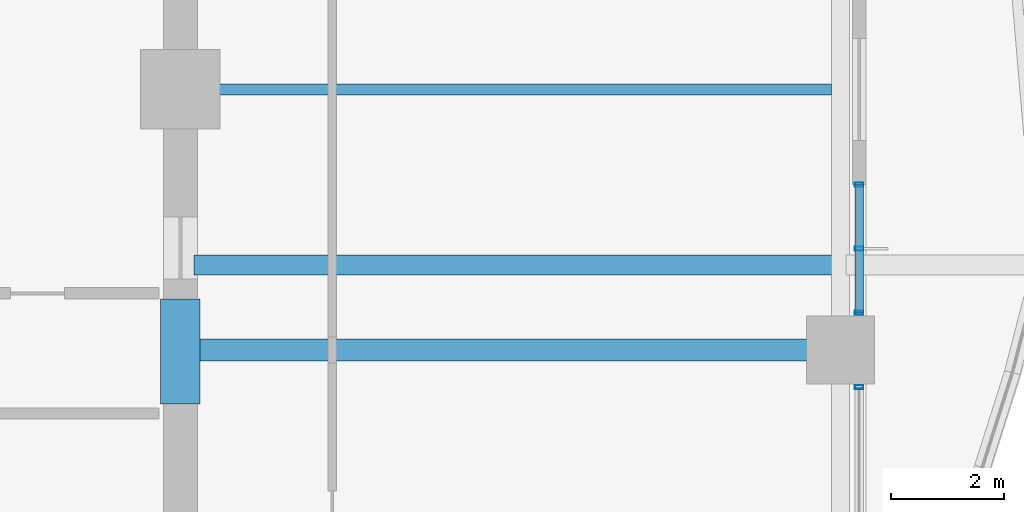
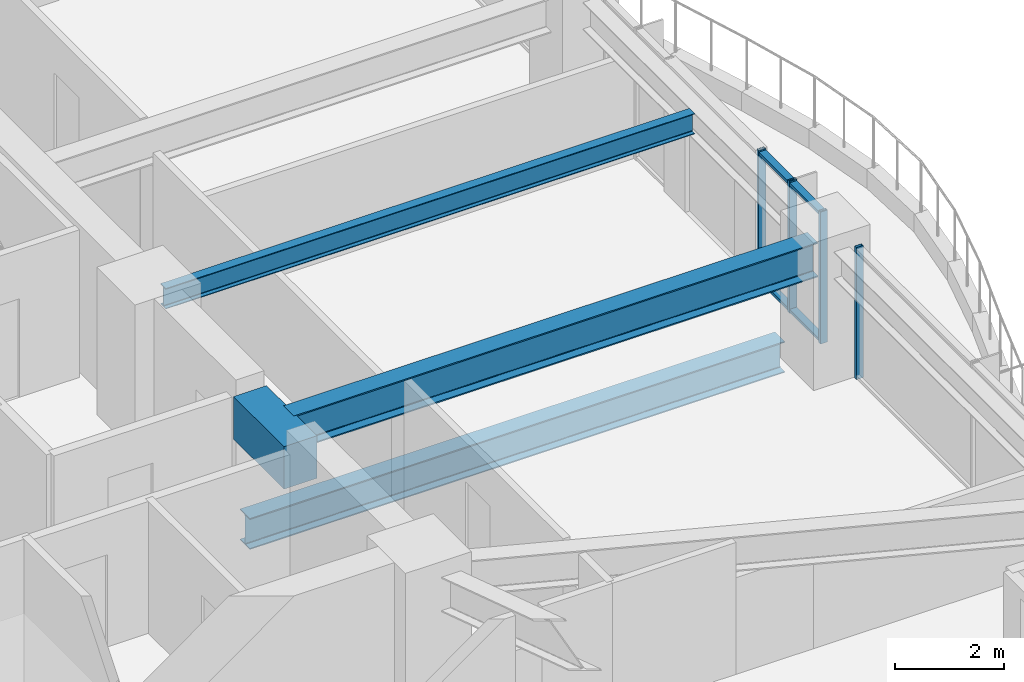
# One storey, part 14 of 38: 6 members, 4 beams, 2 elements without a shape of their own.
"""IFC4 building model written with IfcOpenShell, lengths in metres."""

import ifcopenshell
import ifcopenshell.guid

model = None  # the IFC model being written
_history = None  # IfcOwnerHistory: only IFC2X3 demands one
_inside = {}  # id of a spatial element -> (the spatial element, [elements in it])
_under = {}  # id of a project, library or spatial element -> (it, [spatial elements below it])
_declared = {}  # id of a project -> (the project, [libraries it declares])
_typed = {}  # id of a type object -> (the type object, [elements of that type])
_made_of = {}  # id of a material, layer set ... -> (it, [elements and type objects made of it])


def new_model(schema):
    """Start an empty IFC model of exactly this schema.

    Asked for "IFC4X3", IfcOpenShell would pick the latest addendum, in which some entities
    have other attributes; the version numbers below select the first issue.
    IFC2X3 requires an IfcOwnerHistory on every rooted entity: one is made here for all.
    """
    global model, _history
    if schema == "IFC4X3":
        model = ifcopenshell.file(schema_version=(4, 3, 0, 0))
    else:
        model = ifcopenshell.file(schema=schema)
    _inside.clear()
    _under.clear()
    _declared.clear()
    _typed.clear()
    _made_of.clear()
    _history = None
    if model.schema == "IFC2X3":
        org = make("IfcOrganization", Name="unknown")
        user = make(
            "IfcPersonAndOrganization",
            ThePerson=make("IfcPerson", FamilyName="unknown"),
            TheOrganization=org,
        )
        app = make(
            "IfcApplication",
            ApplicationDeveloper=org,
            Version="unknown",
            ApplicationFullName="unknown",
            ApplicationIdentifier="unknown",
        )
        _history = make(
            "IfcOwnerHistory",
            OwningUser=user,
            OwningApplication=app,
            ChangeAction="ADDED",
            CreationDate=0,
        )
    return model


def make(cls, **values):
    """One entity of the class cls with the attributes given. An attribute that is None is left unset."""
    return model.create_entity(
        cls, **{name: value for name, value in values.items() if value is not None}
    )


def rooted(cls, **values):
    """An entity with a GlobalId (a new one), such as an element, a storey or a relation."""
    return make(cls, GlobalId=ifcopenshell.guid.new(), OwnerHistory=_history, **values)


def si_unit(unit_type, name, prefix=None):
    """IfcSIUnit, for example si_unit("LENGTHUNIT", "METRE", prefix="MILLI")."""
    return make("IfcSIUnit", UnitType=unit_type, Prefix=prefix, Name=name)


def assignment(units):
    """IfcUnitAssignment: the units of a project."""
    return None if units is None else make("IfcUnitAssignment", Units=units)


def point(xyz):
    """IfcCartesianPoint."""
    return None if xyz is None else make("IfcCartesianPoint", Coordinates=xyz)


def direction(xyz):
    """IfcDirection."""
    return None if xyz is None else make("IfcDirection", DirectionRatios=xyz)


def frame(location, z_axis=None, x_axis=None):
    """IfcAxis2Placement3D, a coordinate frame: its origin and axes. An axis left out is left unset."""
    return make(
        "IfcAxis2Placement3D",
        Location=point(location),
        Axis=direction(z_axis),
        RefDirection=direction(x_axis),
    )


def frame_2d(location, x_axis=None):
    """IfcAxis2Placement2D, a coordinate frame in the plane: its origin and x axis."""
    return make(
        "IfcAxis2Placement2D", Location=point(location), RefDirection=direction(x_axis)
    )


def origin():
    """The frame at (0, 0, 0) with its axes left unset."""
    return frame((0.0, 0.0, 0.0))


def origin_2d():
    """The frame at (0, 0) in the plane with its x axis left unset."""
    return frame_2d((0.0, 0.0))


def place(relative_to, where):
    """IfcLocalPlacement: puts the frame where relative to a parent placement (None: the world)."""
    return make(
        "IfcLocalPlacement", PlacementRelTo=relative_to, RelativePlacement=where
    )


def context(
    kind, dimensions, precision=None, world=None, true_north=None, identifier=None
):
    """IfcGeometricRepresentationContext, for example the 3D "Model" context."""
    return make(
        "IfcGeometricRepresentationContext",
        ContextIdentifier=identifier,
        ContextType=kind,
        CoordinateSpaceDimension=dimensions,
        Precision=precision,
        WorldCoordinateSystem=world,
        TrueNorth=true_north,
    )


def subcontext(parent, identifier, kind, view, scale=None):
    """IfcGeometricRepresentationSubContext, for example "Body" below "Model"."""
    return make(
        "IfcGeometricRepresentationSubContext",
        ContextIdentifier=identifier,
        ContextType=kind,
        ParentContext=parent,
        TargetScale=scale,
        TargetView=view,
    )


def project(units=None, contexts=None):
    """IfcProject with its units and contexts."""
    return rooted(
        "IfcProject",
        Name="project",
        RepresentationContexts=contexts,
        UnitsInContext=assignment(units),
    )


def spatial(cls, under=None, at=None, **own):
    """A site, building, storey or space (cls), placed at a placement, below another one or the project."""
    s = rooted(cls, ObjectPlacement=at, **own)
    if under is not None:
        _under.setdefault(under.id(), (under, []))[1].append(s)
    return s


def profile(cls, at=None, kind="AREA", **sizes):
    """A parametric profile (cls). Its sizes go by their IFC names, for example OverallWidth=200.0."""
    return make(cls, ProfileType=kind, Position=at, **sizes)


def rectangle(**sizes):
    """IfcRectangleProfileDef."""
    return profile("IfcRectangleProfileDef", **sizes)


def hollow_rectangle(**sizes):
    """IfcRectangleHollowProfileDef."""
    return profile("IfcRectangleHollowProfileDef", **sizes)


def i_section(**sizes):
    """IfcIShapeProfileDef."""
    return profile("IfcIShapeProfileDef", **sizes)


def extrude(swept, where, along, depth):
    """IfcExtrudedAreaSolid: the profile swept, set in the frame where, extruded along a direction by depth."""
    return make(
        "IfcExtrudedAreaSolid",
        SweptArea=swept,
        Position=where,
        ExtrudedDirection=direction(along),
        Depth=depth,
    )


def shape(context_of_items, identifier, shape_type, items):
    """IfcShapeRepresentation: the items that make up one representation, for example the "Body"."""
    return make(
        "IfcShapeRepresentation",
        ContextOfItems=context_of_items,
        RepresentationIdentifier=identifier,
        RepresentationType=shape_type,
        Items=items,
    )


def material(Name=None, Category=None):
    """IfcMaterial."""
    return make("IfcMaterial", Name=Name, Category=Category)


def material_profile(
    of_material, cross_section, Name=None, Category=None, Priority=None
):
    """IfcMaterialProfile: a cross section and its material."""
    return make(
        "IfcMaterialProfile",
        Name=Name,
        Material=of_material,
        Profile=cross_section,
        Priority=Priority,
        Category=Category,
    )


def profile_set(profiles, Name=None, composite=None):
    """IfcMaterialProfileSet."""
    return make(
        "IfcMaterialProfileSet",
        Name=Name,
        MaterialProfiles=profiles,
        CompositeProfile=composite,
    )


def made_of(thing, what):
    """Note that an element or type object is made of a material, layer set ...; save() writes the relation."""
    if what is not None:
        _made_of.setdefault(what.id(), (what, []))[1].append(thing)
    return thing


def type_object(cls, material=None, **own):
    """A type object (cls), such as IfcWallType, which elements share."""
    return made_of(rooted(cls, **own), material)


def element(
    cls,
    number,
    at=None,
    inside=None,
    cuts=None,
    type_object=None,
    material=None,
    context=None,
    identifier="Body",
    shape_type=None,
    held_by="IfcProductDefinitionShape",
    body=None,
    shapes=None,
    **own,
):
    """One element of the class cls, such as IfcWall. Its Tag is "e" and its number.

    at: its placement. inside: the storey or other place that contains it. cuts: it is an
    opening in that element (IfcRelVoidsElement). A single representation is given by context,
    identifier, shape_type and body (its items); several are given by shapes. held_by: the class
    of the entity that holds the representations. save() writes the other relations.
    """
    e = rooted(cls, Tag="e%d" % number, ObjectPlacement=at, **own)
    if body is not None:
        shapes = [shape(context, identifier, shape_type, body)]
    if shapes is not None:
        e.Representation = make(held_by, Representations=shapes)
    if inside is not None:
        _inside.setdefault(inside.id(), (inside, []))[1].append(e)
    if cuts is not None:
        rooted(
            "IfcRelVoidsElement", RelatingBuildingElement=cuts, RelatedOpeningElement=e
        )
    if type_object is not None:
        _typed.setdefault(type_object.id(), (type_object, []))[1].append(e)
    return made_of(e, material)


def aggregate(whole, parts):
    """IfcRelAggregates: a whole, such as a stair, and the parts it consists of."""
    return rooted("IfcRelAggregates", RelatingObject=whole, RelatedObjects=parts)


def save(model, path):
    """Write the relations noted so far, then the file.

    IfcRelAggregates (storeys below a building ...), IfcRelContainedInSpatialStructure (elements
    in a storey), IfcRelDefinesByType, IfcRelAssociatesMaterial and IfcRelDeclares: one each for
    every whole, place, type object, material and project.
    """
    for whole, parts in _under.values():
        aggregate(whole, parts)
    for where, things in _inside.values():
        rooted(
            "IfcRelContainedInSpatialStructure",
            RelatedElements=things,
            RelatingStructure=where,
        )
    for kind, things in _typed.values():
        rooted("IfcRelDefinesByType", RelatedObjects=things, RelatingType=kind)
    for what, things in _made_of.values():
        rooted("IfcRelAssociatesMaterial", RelatedObjects=things, RelatingMaterial=what)
    for by, libraries in _declared.values():
        rooted("IfcRelDeclares", RelatingContext=by, RelatedDefinitions=libraries)
    model.write(path)


model = new_model("IFC4")

# Units and contexts
model_context = context("Model", 3, precision=1e-05, world=origin(), true_north=direction((0.0, 1.0)))
body_context = subcontext(model_context, "Body", "Model", "MODEL_VIEW")
ifc_project = project(units=[si_unit("LENGTHUNIT", "METRE"), si_unit("AREAUNIT", "SQUARE_METRE"), si_unit("VOLUMEUNIT", "CUBIC_METRE"), si_unit("PLANEANGLEUNIT", "RADIAN"), si_unit("MASSUNIT", "GRAM", prefix="KILO")], contexts=[model_context])

# Site, building, storey
site_placement = place(None, origin())
site = spatial("IfcSite", under=ifc_project, at=site_placement, CompositionType="ELEMENT")
building_placement = place(site_placement, origin())
building = spatial("IfcBuilding", under=site, at=building_placement, Name="Kolvaren Belvedere", CompositionType="ELEMENT")
storey_placement = place(building_placement, frame((0.0, 0.0, 60.10009765625)))
storey = spatial("IfcBuildingStorey", under=building, at=storey_placement, Name="L17", CompositionType="ELEMENT", Elevation=60.10009765625)

# Beams
ifc_material_1 = material(Name="Structural steel ASTM A992 Grade 50", Category="steel")
ifc_material_profile_1 = material_profile(ifc_material_1, i_section(OverallWidth=0.35498046875, OverallDepth=0.696044921875, WebThickness=0.015380859375, FlangeThickness=0.02490234375, FilletRadius=0.02197265625, at=origin_2d()), Name="W27X146")
ifc_profile_set_1 = profile_set([ifc_material_profile_1], Name="Structural steel ASTM A992 Grade 50")
beam_type_1 = type_object("IfcBeamType", Name="BM-GIRD-W27X146", PredefinedType="BEAM", material=ifc_profile_set_1)
beam_1_placement = place(storey_placement, frame((10.139892578125, -3.10009765625, -0.588134765625), z_axis=(1.0, 0.0, 0.0), x_axis=(0.0, 1.0, 0.0)))
element("IfcBeam", 1, at=beam_1_placement, inside=storey, type_object=beam_type_1, Name="L17 Balcony Interior Back-Span Girder BAL-E-1", PredefinedType="BEAM", context=body_context, shape_type="SweptSolid", body=[
    extrude(i_section(OverallWidth=0.35498046875, OverallDepth=0.696044921875, WebThickness=0.015380859375, FlangeThickness=0.02490234375, FilletRadius=0.02197265625, at=origin_2d()), origin(), (0.0, 0.0, 1.0), 11.315185546875),
])
ifc_material_2 = material(Name="Structural steel ASTM A992 Grade 50", Category="steel")
ifc_material_profile_2 = material_profile(ifc_material_2, i_section(OverallWidth=0.381103515625, OverallDepth=0.77294921875, WebThickness=0.0166015625, FlangeThickness=0.027099609375, FilletRadius=0.02392578125, at=origin_2d()), Name="W30X173")
ifc_profile_set_2 = profile_set([ifc_material_profile_2], Name="Structural steel ASTM A992 Grade 50")
beam_type_2 = type_object("IfcBeamType", Name="BM-GIRD-W30X173", PredefinedType="BEAM", material=ifc_profile_set_2)
beam_2_placement = place(storey_placement, frame((10.199951171875, -4.60009765625, 2.5634765625), z_axis=(1.0, 0.0, 0.0), x_axis=(0.0, 1.0, 0.0)))
element("IfcBeam", 2, at=beam_2_placement, inside=storey, type_object=beam_type_2, Name="L17 East Radial Girder M", PredefinedType="BEAM", context=body_context, shape_type="SweptSolid", body=[
    extrude(i_section(OverallWidth=0.381103515625, OverallDepth=0.77294921875, WebThickness=0.0166015625, FlangeThickness=0.027099609375, FilletRadius=0.02392578125, at=origin_2d()), origin(), (0.0, 0.0, 1.0), 11.080078125),
])
ifc_material_3 = material(Name="Structural steel ASTM A992 Grade 50", Category="steel")
ifc_material_profile_3 = material_profile(ifc_material_3, i_section(OverallWidth=0.19091796875, OverallDepth=0.4599609375, WebThickness=0.010009765625, FlangeThickness=0.01611328125, FilletRadius=0.014892578125, at=origin_2d()), Name="W18X55")
ifc_profile_set_3 = profile_set([ifc_material_profile_3], Name="Structural steel ASTM A992 Grade 50")
beam_type_3 = type_object("IfcBeamType", Name="BM-JOIST-W18X55", PredefinedType="BEAM", material=ifc_profile_set_3)
beam_3_placement = place(storey_placement, frame((10.199951171875, 0.0, 2.719970703125), z_axis=(1.0, 0.0, 0.0), x_axis=(0.0, 1.0, 0.0)))
element("IfcBeam", 3, at=beam_3_placement, inside=storey, type_object=beam_type_3, Name="L17 East Centre Floor Beam", PredefinedType="BEAM", context=body_context, shape_type="SweptSolid", body=[
    extrude(i_section(OverallWidth=0.19091796875, OverallDepth=0.4599609375, WebThickness=0.010009765625, FlangeThickness=0.01611328125, FilletRadius=0.014892578125, at=origin_2d()), origin(), (0.0, 0.0, 1.0), 11.1875),
])
ifc_material_4 = material(Name="Concrete C60/75", Category="concrete")
ifc_material_profile_4 = material_profile(ifc_material_4, rectangle(XDim=0.699951171875, YDim=0.949951171875, at=origin_2d()), Name="RC 700X950")
ifc_profile_set_4 = profile_set([ifc_material_profile_4], Name="Concrete C60/75")
beam_type_4 = type_object("IfcBeamType", Name="BM-LINT-950", PredefinedType="LINTEL", material=ifc_profile_set_4)
beam_4_placement = place(storey_placement, frame((9.89990234375, -5.550048828125, 2.474853515625), z_axis=(0.0, 1.0, 0.0), x_axis=(-1.0, 0.0, 0.0)))
element("IfcBeam", 4, at=beam_4_placement, inside=storey, type_object=beam_type_4, Name="L17 East Core Coupling Lintel", PredefinedType="LINTEL", context=body_context, shape_type="SweptSolid", body=[
    extrude(rectangle(XDim=0.699951171875, YDim=0.949951171875, at=origin_2d()), origin(), (0.0, 0.0, 1.0), 1.85009765625),
])

# Curtain wall, members
ifc_material_5 = material(Name="Anodised pale-metal aluminium AA 6063-T6", Category="aluminium")
curtain_wall_type = type_object("IfcCurtainWallType", Name="CW-Z1-LOW", PredefinedType="NOTDEFINED", material=ifc_material_5)
curtain_wall_1_placement = place(storey_placement, origin())
curtain_wall_1 = element("IfcCurtainWall", 5, at=curtain_wall_1_placement, inside=storey, type_object=curtain_wall_type, Name="L17 Unitised Curtain Wall FCW-L17-E2-B1", PredefinedType="NOTDEFINED")
ifc_material_6 = material(Name="Anodised pale-metal aluminium AA 6063-T6", Category="aluminium")
ifc_material_profile_5 = material_profile(ifc_material_6, hollow_rectangle(XDim=0.070068359375, YDim=0.14990234375, WallThickness=0.004150390625, at=origin_2d()), Name="ALU-MUL-150X70")
ifc_profile_set_5 = profile_set([ifc_material_profile_5], Name="Anodised pale-metal aluminium AA 6063-T6")
member_type_1 = type_object("IfcMemberType", Name="CW-MUL-150", PredefinedType="MULLION", material=ifc_profile_set_5)
member_1_placement = place(storey_placement, frame((21.8798828125, -1.679931640625, 0.0), z_axis=(0.0, 0.0, 1.0), x_axis=(0.0, 1.0, 0.0)))
member_1 = element("IfcMember", 6, at=member_1_placement, type_object=member_type_1, Name="FCW-L17-E2-B1 Unitised Mullion 1", PredefinedType="MULLION", context=body_context, shape_type="SweptSolid", body=[
    extrude(hollow_rectangle(XDim=0.070068359375, YDim=0.14990234375, WallThickness=0.004150390625, at=origin_2d()), origin(), (0.0, 0.0, 1.0), 2.949951171875),
])
member_2_placement = place(storey_placement, frame((21.8798828125, -2.8125, 0.0), z_axis=(0.0, 0.0, 1.0), x_axis=(0.0, 1.0, 0.0)))
member_2 = element("IfcMember", 7, at=member_2_placement, type_object=member_type_1, Name="FCW-L17-E2-B1 Unitised Mullion 2", PredefinedType="MULLION", context=body_context, shape_type="SweptSolid", body=[
    extrude(hollow_rectangle(XDim=0.070068359375, YDim=0.14990234375, WallThickness=0.004150390625, at=origin_2d()), origin(), (0.0, 0.0, 1.0), 2.949951171875),
])
member_3_placement = place(storey_placement, frame((21.8798828125, -3.945068359375, 0.0), z_axis=(0.0, 0.0, 1.0), x_axis=(0.0, 1.0, 0.0)))
member_3 = element("IfcMember", 8, at=member_3_placement, type_object=member_type_1, Name="FCW-L17-E2-B1 Unitised Mullion 3", PredefinedType="MULLION", context=body_context, shape_type="SweptSolid", body=[
    extrude(hollow_rectangle(XDim=0.070068359375, YDim=0.14990234375, WallThickness=0.004150390625, at=origin_2d()), origin(), (0.0, 0.0, 1.0), 2.949951171875),
])

# Curtain wall, member
curtain_wall_2_placement = place(storey_placement, origin())
curtain_wall_2 = element("IfcCurtainWall", 9, at=curtain_wall_2_placement, inside=storey, type_object=curtain_wall_type, Name="L17 Unitised Curtain Wall FCW-L17-E2-B2", PredefinedType="NOTDEFINED")
member_4_placement = place(storey_placement, frame((21.8798828125, -5.2548828125, 0.0), z_axis=(0.0, 0.0, 1.0), x_axis=(0.0, 1.0, 0.0)))
member_4 = element("IfcMember", 10, at=member_4_placement, type_object=member_type_1, Name="FCW-L17-E2-B2 Unitised Mullion 1", PredefinedType="MULLION", context=body_context, shape_type="SweptSolid", body=[
    extrude(hollow_rectangle(XDim=0.070068359375, YDim=0.14990234375, WallThickness=0.004150390625, at=origin_2d()), origin(), (0.0, 0.0, 1.0), 2.949951171875),
])
aggregate(curtain_wall_2, [member_4])

# Member
ifc_material_7 = material(Name="Anodised pale-metal aluminium AA 6063-T6", Category="aluminium")
ifc_material_profile_6 = material_profile(ifc_material_7, hollow_rectangle(XDim=0.06494140625, YDim=0.14990234375, WallThickness=0.00390625, at=origin_2d()), Name="ALU-TRN-150X65")
ifc_profile_set_6 = profile_set([ifc_material_profile_6], Name="Anodised pale-metal aluminium AA 6063-T6")
member_type_2 = type_object("IfcMemberType", Name="CW-TRN-150", PredefinedType="USERDEFINED", material=ifc_profile_set_6)
member_5_placement = place(storey_placement, frame((21.8798828125, -1.679931640625, 0.059814453125), z_axis=(0.0, -1.0, 0.0), x_axis=(0.0, 0.0, 1.0)))
member_5 = element("IfcMember", 11, at=member_5_placement, type_object=member_type_2, Name="FCW-L17-E2-B1 Sill Transom", ObjectType="TRANSOM", PredefinedType="USERDEFINED", context=body_context, shape_type="SweptSolid", body=[
    extrude(hollow_rectangle(XDim=0.06494140625, YDim=0.14990234375, WallThickness=0.00390625, at=origin_2d()), origin(), (0.0, 0.0, 1.0), 2.26513671875),
])

member_6_placement = place(storey_placement, frame((21.8798828125, -1.679931640625, 2.889892578125), z_axis=(0.0, -1.0, 0.0), x_axis=(0.0, 0.0, 1.0)))
member_6 = element("IfcMember", 12, at=member_6_placement, type_object=member_type_2, Name="FCW-L17-E2-B1 Head Transom", ObjectType="TRANSOM", PredefinedType="USERDEFINED", context=body_context, shape_type="SweptSolid", body=[
    extrude(hollow_rectangle(XDim=0.06494140625, YDim=0.14990234375, WallThickness=0.00390625, at=origin_2d()), origin(), (0.0, 0.0, 1.0), 2.26513671875),
])

aggregate(curtain_wall_1, [member_1, member_2, member_3, member_5, member_6])

save(model, "model.ifc")
